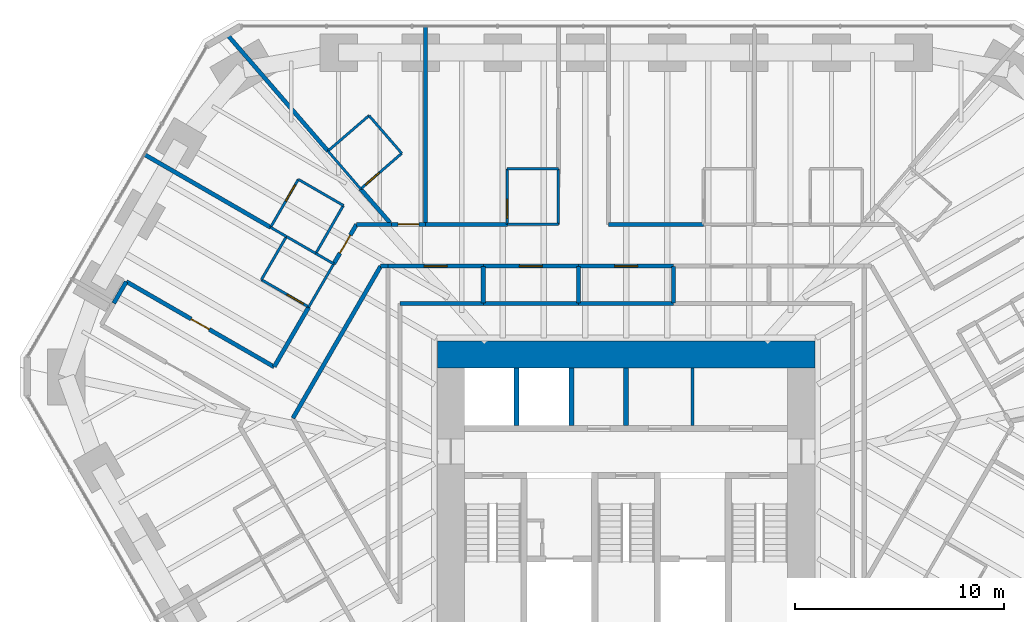
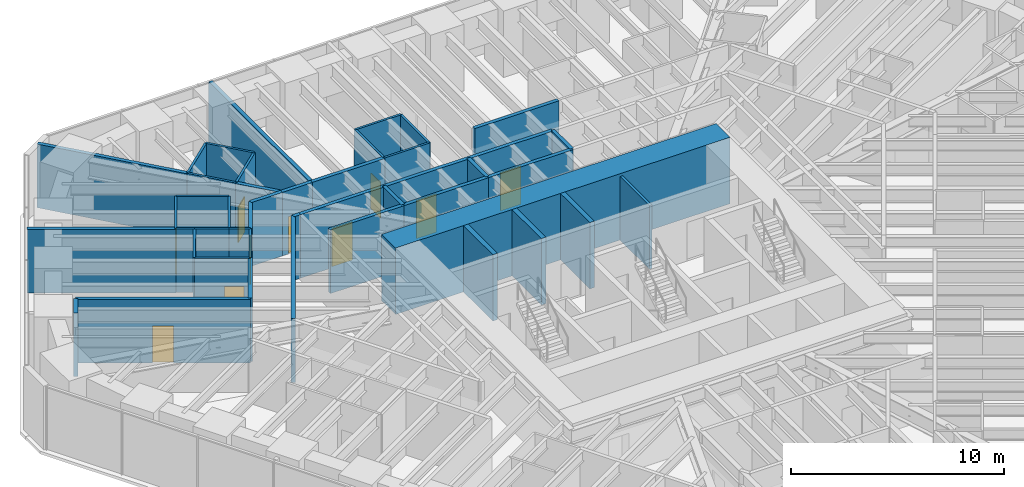
# One storey, part 14 of 17: 45 walls, 10 doors, 10 openings.
"""IFC4 building model written with IfcOpenShell, lengths in metres."""

from ifc_helpers import new_model, si_unit, direction, frame, frame_2d, origin, place, context, subcontext, project, spatial, rectangle, extrude, material, layer, layer_set, type_object, element, fill, save


model = new_model("IFC4")

# Units and contexts
model_context = context("Model", 3, precision=1e-05, world=origin(), true_north=direction((0.0, 1.0)))
body_context = subcontext(model_context, "Body", "Model", "MODEL_VIEW")
ifc_project = project(units=[si_unit("LENGTHUNIT", "METRE"), si_unit("AREAUNIT", "SQUARE_METRE"), si_unit("VOLUMEUNIT", "CUBIC_METRE"), si_unit("PLANEANGLEUNIT", "RADIAN"), si_unit("MASSUNIT", "GRAM", prefix="KILO")], contexts=[model_context])

# Site, building, storey
site_placement = place(None, origin())
site = spatial("IfcSite", under=ifc_project, at=site_placement, CompositionType="ELEMENT")
building_placement = place(site_placement, origin())
building = spatial("IfcBuilding", under=site, at=building_placement, Name="Sandreach Pilgrim Tower", CompositionType="ELEMENT")
storey_placement = place(building_placement, frame((0.0, 0.0, 127.199951171875)))
storey = spatial("IfcBuildingStorey", under=building, at=storey_placement, Name="L31", CompositionType="ELEMENT", Elevation=127.199951171875)

# Wall
ifc_material_1 = material(Name="Gypsum board on steel studs", Category="steel")
ifc_layer_1 = layer(ifc_material_1, 0.14990234375)
ifc_layer_set_1 = layer_set([ifc_layer_1], Name="Back of house wall 150")
wall_type_1 = type_object("IfcWallType", Name="Back of house wall 150", PredefinedType="PARTITIONING", material=ifc_layer_set_1)
wall_1_placement = place(storey_placement, frame((3.175048828125, 3.35009765625, 0.0), z_axis=(0.0, 0.0, 1.0), x_axis=(0.0, 1.0, 0.0)))
element("IfcWall", 1, at=wall_1_placement, inside=storey, type_object=wall_type_1, Name="Core room partition L31 1", PredefinedType="PARTITIONING", context=body_context, shape_type="SweptSolid", body=[
    extrude(rectangle(XDim=2.75, YDim=0.14990234375, at=frame_2d((1.375, 0.0))), origin(), (0.0, 0.0, 1.0), 3.64013671875),
])

# Wall, opening, door
ifc_material_2 = material(Name="Moisture-resistant gypsum board on steel studs", Category="steel")
ifc_layer_2 = layer(ifc_material_2, 0.1201171875)
ifc_layer_set_2 = layer_set([ifc_layer_2], Name="Bathroom partition 120")
wall_type_2 = type_object("IfcWallType", Name="Bathroom partition 120", PredefinedType="PARTITIONING", material=ifc_layer_set_2)
wall_2_placement = place(storey_placement, frame((-17.489990234375, 10.340087890625, 0.0), z_axis=(0.0, 0.0, 1.0), x_axis=(0.866114241029, -0.499846097802, 0.0)))
wall_2 = element("IfcWall", 2, at=wall_2_placement, inside=storey, type_object=wall_type_2, Name="Bathroom partition L31-013", PredefinedType="PARTITIONING", context=body_context, shape_type="SweptSolid", body=[
    extrude(rectangle(XDim=2.620849609375, YDim=0.1201171875, at=frame_2d((1.310546875, 0.0))), origin(), (0.0, 0.0, 1.0), 3.64013671875),
])
opening_1_placement = place(wall_2_placement, frame((1.4208984375, 0.0, 0.0)))
opening_1 = element("IfcOpeningElement", 3, at=opening_1_placement, cuts=wall_2, Name="Opening D09-18B", PredefinedType="OPENING", context=body_context, shape_type="SweptSolid", body=[
    extrude(rectangle(XDim=0.89990234375, YDim=2.030029296875, at=frame_2d((0.449951171875, 1.01513671875))), frame((0.0, 0.06005859375, 0.0), z_axis=(0.0, -1.0, 0.0), x_axis=(1.0, 0.0, 0.0)), (0.0, 0.0, 1.0), 0.1201171875),
])
ifc_material_3 = material(Name="Timber door, steel frame", Category="steel")
door_type_1 = type_object("IfcDoorType", Name="Bathroom door", OperationType="SINGLE_SWING_LEFT", PredefinedType="DOOR", material=ifc_material_3)
door_1_placement = place(opening_1_placement, origin())
door_1 = element("IfcDoor", 4, at=door_1_placement, inside=storey, type_object=door_type_1, Name="Door 3118B", OperationType="SINGLE_SWING_RIGHT", OverallHeight=2.030029296875, OverallWidth=0.89990234375, PredefinedType="DOOR", context=body_context, shape_type="SweptSolid", body=[
    extrude(rectangle(XDim=0.89990234375, YDim=2.030029296875, at=frame_2d((0.449951171875, 1.01513671875))), frame((0.0, 0.02490234375, 0.0), z_axis=(0.0, -1.0, 0.0), x_axis=(1.0, 0.0, 0.0)), (0.0, 0.0, 1.0), 0.050048828125),
])
fill(opening_1, door_1)

# Walls
wall_3_placement = place(storey_placement, frame((-17.050537109375, 12.849365234375, 0.0), z_axis=(0.0, 0.0, 1.0), x_axis=(0.865838315616, -0.500323906295, 0.0)))
element("IfcWall", 5, at=wall_3_placement, inside=storey, type_object=wall_type_2, Name="Bathroom partition L31-015", PredefinedType="PARTITIONING", context=body_context, shape_type="SweptSolid", body=[
    extrude(rectangle(XDim=0.87841796875, YDim=0.1201171875, at=frame_2d((0.439208984375, 0.0))), origin(), (0.0, 0.0, 1.0), 3.64013671875),
])
wall_4_placement = place(storey_placement, frame((-16.2900390625, 12.409912109375, 0.0), z_axis=(0.0, 0.0, 1.0), x_axis=(-0.501547039172, -0.865130376012, 0.0)))
element("IfcWall", 6, at=wall_4_placement, inside=storey, type_object=wall_type_2, Name="Bathroom partition L31-020", PredefinedType="PARTITIONING", context=body_context, shape_type="SweptSolid", body=[
    extrude(rectangle(XDim=2.392578125, YDim=0.1201171875, at=frame_2d((1.1962890625, 0.0))), origin(), (0.0, 0.0, 1.0), 3.64013671875),
])
wall_5_placement = place(storey_placement, frame((-16.2900390625, 12.409912109375, 0.0), z_axis=(0.0, 0.0, 1.0), x_axis=(0.866138091645, -0.499804768086, 0.0)))
element("IfcWall", 7, at=wall_5_placement, inside=storey, type_object=wall_type_2, Name="Bathroom partition L31-021", PredefinedType="PARTITIONING", context=body_context, shape_type="SweptSolid", body=[
    extrude(rectangle(XDim=1.626220703125, YDim=0.1201171875, at=frame_2d((0.81298828125, 0.0))), origin(), (0.0, 0.0, 1.0), 3.64013671875),
])

# Wall, opening, door
wall_6_placement = place(storey_placement, frame((-15.719970703125, 15.14990234375, 0.0), z_axis=(0.0, 0.0, 1.0), x_axis=(-0.500605174168, -0.865675724273, 0.0)))
wall_6 = element("IfcWall", 8, at=wall_6_placement, inside=storey, type_object=wall_type_2, Name="Bathroom partition L31-023", PredefinedType="PARTITIONING", context=body_context, shape_type="SweptSolid", body=[
    extrude(rectangle(XDim=2.656982421875, YDim=0.1201171875, at=frame_2d((1.32861328125, 0.0))), origin(), (0.0, 0.0, 1.0), 3.64013671875),
])
opening_2_placement = place(wall_6_placement, frame((0.300048828125, 0.0, 0.0)))
opening_2 = element("IfcOpeningElement", 9, at=opening_2_placement, cuts=wall_6, Name="Opening D09-19B", PredefinedType="OPENING", context=body_context, shape_type="SweptSolid", body=[
    extrude(rectangle(XDim=0.89990234375, YDim=2.030029296875, at=frame_2d((0.449951171875, 1.01513671875))), frame((0.0, 0.06005859375, 0.0), z_axis=(0.0, -1.0, 0.0), x_axis=(1.0, 0.0, 0.0)), (0.0, 0.0, 1.0), 0.1201171875),
])
door_2_placement = place(opening_2_placement, origin())
door_2 = element("IfcDoor", 10, at=door_2_placement, inside=storey, type_object=door_type_1, Name="Door 3119B", OperationType="SINGLE_SWING_LEFT", OverallHeight=2.030029296875, OverallWidth=0.89990234375, PredefinedType="DOOR", context=body_context, shape_type="SweptSolid", body=[
    extrude(rectangle(XDim=0.89990234375, YDim=2.030029296875, at=frame_2d((0.449951171875, 1.01513671875))), frame((0.0, 0.02490234375, 0.0), z_axis=(0.0, -1.0, 0.0), x_axis=(1.0, 0.0, 0.0)), (0.0, 0.0, 1.0), 0.050048828125),
])
fill(opening_2, door_2)

# Walls
wall_7_placement = place(storey_placement, frame((-15.219970703125, 9.030029296875, 0.0), z_axis=(0.0, 0.0, 1.0), x_axis=(0.501502765098, 0.865156041763, 0.0)))
element("IfcWall", 11, at=wall_7_placement, inside=storey, type_object=wall_type_2, Name="Bathroom partition L31-026", PredefinedType="PARTITIONING", context=body_context, shape_type="SweptSolid", body=[
    extrude(rectangle(XDim=2.392822265625, YDim=0.1201171875, at=frame_2d((1.1962890625, 0.0))), origin(), (0.0, 0.0, 1.0), 3.64013671875),
])
wall_8_placement = place(storey_placement, frame((-14.881591796875, 11.59716796875, 0.0), z_axis=(0.0, 0.0, 1.0), x_axis=(0.866181499781, -0.499729536286, 0.0)))
element("IfcWall", 12, at=wall_8_placement, inside=storey, type_object=wall_type_2, Name="Bathroom partition L31-027", PredefinedType="PARTITIONING", context=body_context, shape_type="SweptSolid", body=[
    extrude(rectangle(XDim=0.99462890625, YDim=0.1201171875, at=frame_2d((0.497314453125, 0.0))), origin(), (0.0, 0.0, 1.0), 3.64013671875),
])
wall_9_placement = place(storey_placement, frame((-14.8798828125, 11.60009765625, 0.0), z_axis=(0.0, 0.0, 1.0), x_axis=(0.497704656183, 0.867346571569, 0.0)))
element("IfcWall", 13, at=wall_9_placement, inside=storey, type_object=wall_type_2, Name="Bathroom partition L31-028", PredefinedType="PARTITIONING", context=body_context, shape_type="SweptSolid", body=[
    extrude(rectangle(XDim=2.65185546875, YDim=0.1201171875, at=frame_2d((1.325927734375, 0.0))), origin(), (0.0, 0.0, 1.0), 3.64013671875),
])
wall_10_placement = place(storey_placement, frame((-14.300048828125, 16.510009765625, 0.0), z_axis=(0.0, 0.0, 1.0), x_axis=(0.653188728136, -0.757195143563, 0.0)))
element("IfcWall", 14, at=wall_10_placement, inside=storey, type_object=wall_type_2, Name="Bathroom partition L31-030", PredefinedType="PARTITIONING", context=body_context, shape_type="SweptSolid", body=[
    extrude(rectangle(XDim=2.40380859375, YDim=0.1201171875, at=frame_2d((1.201904296875, 0.0))), origin(), (0.0, 0.0, 1.0), 3.64013671875),
])
wall_11_placement = place(storey_placement, frame((-13.56005859375, 13.89990234375, 0.0), z_axis=(0.0, 0.0, 1.0), x_axis=(-0.865508881864, 0.500893576935, 0.0)))
element("IfcWall", 15, at=wall_11_placement, inside=storey, type_object=wall_type_2, Name="Bathroom partition L31-033", PredefinedType="PARTITIONING", context=body_context, shape_type="SweptSolid", body=[
    extrude(rectangle(XDim=2.49560546875, YDim=0.1201171875, at=frame_2d((1.247802734375, 0.0))), origin(), (0.0, 0.0, 1.0), 3.64013671875),
])

# Wall, opening, door
wall_12_placement = place(storey_placement, frame((-12.72998046875, 14.68994140625, 0.0), z_axis=(0.0, 0.0, 1.0), x_axis=(0.755185511235, 0.655511131576, 0.0)))
wall_12 = element("IfcWall", 16, at=wall_12_placement, inside=storey, type_object=wall_type_2, Name="Bathroom partition L31-037", PredefinedType="PARTITIONING", context=body_context, shape_type="SweptSolid", body=[
    extrude(rectangle(XDim=2.608642578125, YDim=0.1201171875, at=frame_2d((1.30419921875, 0.0))), origin(), (0.0, 0.0, 1.0), 3.64013671875),
])
opening_3_placement = place(wall_12_placement, frame((0.300048828125, 0.0, 0.0)))
opening_3 = element("IfcOpeningElement", 17, at=opening_3_placement, cuts=wall_12, Name="Opening D09-01B", PredefinedType="OPENING", context=body_context, shape_type="SweptSolid", body=[
    extrude(rectangle(XDim=0.89990234375, YDim=2.030029296875, at=frame_2d((0.449951171875, 1.01513671875))), frame((0.0, 0.06005859375, 0.0), z_axis=(0.0, -1.0, 0.0), x_axis=(1.0, 0.0, 0.0)), (0.0, 0.0, 1.0), 0.1201171875),
])
door_3_placement = place(opening_3_placement, origin())
door_3 = element("IfcDoor", 18, at=door_3_placement, inside=storey, type_object=door_type_1, Name="Door 3101B", OperationType="SINGLE_SWING_LEFT", OverallHeight=2.030029296875, OverallWidth=0.89990234375, PredefinedType="DOOR", context=body_context, shape_type="SweptSolid", body=[
    extrude(rectangle(XDim=0.89990234375, YDim=2.030029296875, at=frame_2d((0.449951171875, 1.01513671875))), frame((0.0, 0.02490234375, 0.0), z_axis=(0.0, -1.0, 0.0), x_axis=(1.0, 0.0, 0.0)), (0.0, 0.0, 1.0), 0.050048828125),
])
fill(opening_3, door_3)

# Walls
wall_13_placement = place(storey_placement, frame((-12.330078125, 18.2099609375, 0.0), z_axis=(0.0, 0.0, 1.0), x_axis=(-0.757086659925, -0.653314464377, 0.0)))
element("IfcWall", 19, at=wall_13_placement, inside=storey, type_object=wall_type_2, Name="Bathroom partition L31-038", PredefinedType="PARTITIONING", context=body_context, shape_type="SweptSolid", body=[
    extrude(rectangle(XDim=2.60205078125, YDim=0.1201171875, at=frame_2d((1.301025390625, 0.0))), origin(), (0.0, 0.0, 1.0), 3.64013671875),
])
wall_14_placement = place(storey_placement, frame((-10.760009765625, 16.39990234375, 0.0), z_axis=(0.0, 0.0, 1.0), x_axis=(-0.655252439976, 0.755409981338, 0.0)))
element("IfcWall", 20, at=wall_14_placement, inside=storey, type_object=wall_type_2, Name="Bathroom partition L31-049", PredefinedType="PARTITIONING", context=body_context, shape_type="SweptSolid", body=[
    extrude(rectangle(XDim=2.396240234375, YDim=0.1201171875, at=frame_2d((1.1982421875, 0.0))), origin(), (0.0, 0.0, 1.0), 3.64013671875),
])

# Wall, opening, door
wall_15_placement = place(storey_placement, frame((-5.7099609375, 15.659912109375, 0.0), z_axis=(0.0, 0.0, 1.0), x_axis=(0.003749059241, -0.999992972253, 0.0)))
wall_15 = element("IfcWall", 21, at=wall_15_placement, inside=storey, type_object=wall_type_2, Name="Bathroom partition L31-066", PredefinedType="PARTITIONING", context=body_context, shape_type="SweptSolid", body=[
    extrude(rectangle(XDim=2.669921875, YDim=0.1201171875, at=frame_2d((1.3349609375, 0.0))), origin(), (0.0, 0.0, 1.0), 3.64013671875),
])
opening_4_placement = place(wall_15_placement, frame((1.469970703125, 0.0, 0.0)))
opening_4 = element("IfcOpeningElement", 22, at=opening_4_placement, cuts=wall_15, Name="Opening D09-02B", PredefinedType="OPENING", context=body_context, shape_type="SweptSolid", body=[
    extrude(rectangle(XDim=0.89990234375, YDim=2.030029296875, at=frame_2d((0.449951171875, 1.01513671875))), frame((0.0, 0.06005859375, 0.0), z_axis=(0.0, -1.0, 0.0), x_axis=(1.0, 0.0, 0.0)), (0.0, 0.0, 1.0), 0.1201171875),
])
door_4_placement = place(opening_4_placement, origin())
door_4 = element("IfcDoor", 23, at=door_4_placement, inside=storey, type_object=door_type_1, Name="Door 3102B", OperationType="SINGLE_SWING_RIGHT", OverallHeight=2.030029296875, OverallWidth=0.89990234375, PredefinedType="DOOR", context=body_context, shape_type="SweptSolid", body=[
    extrude(rectangle(XDim=0.89990234375, YDim=2.030029296875, at=frame_2d((0.449951171875, 1.01513671875))), frame((0.0, 0.02490234375, 0.0), z_axis=(0.0, -1.0, 0.0), x_axis=(1.0, 0.0, 0.0)), (0.0, 0.0, 1.0), 0.050048828125),
])
fill(opening_4, door_4)

# Walls
wall_16_placement = place(storey_placement, frame((-3.25, 12.989990234375, 0.0), z_axis=(0.0, 0.0, 1.0), x_axis=(-1.0, 0.0, 0.0)))
element("IfcWall", 24, at=wall_16_placement, inside=storey, type_object=wall_type_2, Name="Bathroom partition L31-079", PredefinedType="PARTITIONING", context=body_context, shape_type="SweptSolid", body=[
    extrude(rectangle(XDim=2.449951171875, YDim=0.1201171875, at=frame_2d((1.22509765625, 0.0))), origin(), (0.0, 0.0, 1.0), 3.64013671875),
])
wall_17_placement = place(storey_placement, frame((-3.25, 15.659912109375, 0.0), z_axis=(0.0, 0.0, 1.0), x_axis=(-1.0, 0.0, 0.0)))
element("IfcWall", 25, at=wall_17_placement, inside=storey, type_object=wall_type_2, Name="Bathroom partition L31-080", PredefinedType="PARTITIONING", context=body_context, shape_type="SweptSolid", body=[
    extrude(rectangle(XDim=2.4599609375, YDim=0.1201171875, at=frame_2d((1.22998046875, 0.0))), origin(), (0.0, 0.0, 1.0), 3.64013671875),
])
wall_18_placement = place(storey_placement, frame((-3.25, 15.659912109375, 0.0), z_axis=(0.0, 0.0, 1.0), x_axis=(0.0, -1.0, 0.0)))
element("IfcWall", 26, at=wall_18_placement, inside=storey, type_object=wall_type_2, Name="Bathroom partition L31-081", PredefinedType="PARTITIONING", context=body_context, shape_type="SweptSolid", body=[
    extrude(rectangle(XDim=2.669921875, YDim=0.1201171875, at=frame_2d((1.3349609375, 0.0))), origin(), (0.0, 0.0, 1.0), 3.64013671875),
])
ifc_material_4 = material(Name="Concrete 10000 psi", Category="concrete")
ifc_layer_3 = layer(ifc_material_4, 1.300048828125)
ifc_layer_set_3 = layer_set([ifc_layer_3], Name="Core wall 1300")
wall_type_3 = type_object("IfcWallType", Name="Core wall 1300", PredefinedType="SHEAR", material=ifc_layer_set_3)
wall_19_placement = place(storey_placement, frame((-9.050048828125, 6.75, 0.0), z_axis=(0.0, 0.0, 1.0), x_axis=(1.0, 0.0, 0.0)))
element("IfcWall", 27, at=wall_19_placement, inside=storey, type_object=wall_type_3, Name="Core wall N L31", PredefinedType="SHEAR", context=body_context, shape_type="SweptSolid", body=[
    extrude(rectangle(XDim=18.10009765625, YDim=1.300048828125, at=frame_2d((9.050048828125, 0.0))), origin(), (0.0, 0.0, 1.0), 3.800048828125),
])
ifc_material_5 = material(Name="Gypsum board on steel studs, two layers each side", Category="steel")
ifc_layer_4 = layer(ifc_material_5, 0.199951171875)
ifc_layer_set_4 = layer_set([ifc_layer_4], Name="Corridor wall 200")
wall_type_4 = type_object("IfcWallType", Name="Corridor wall 200", PredefinedType="PARTITIONING", material=ifc_layer_set_4)
wall_20_placement = place(storey_placement, frame((-24.570068359375, 9.2099609375, 0.0), z_axis=(0.0, 0.0, 1.0), x_axis=(0.499734288277, 0.866178758179, 0.0)))
element("IfcWall", 28, at=wall_20_placement, inside=storey, type_object=wall_type_4, Name="Corridor wall L31-004", PredefinedType="PARTITIONING", context=body_context, shape_type="SweptSolid", body=[
    extrude(rectangle(XDim=1.190673828125, YDim=0.199951171875, at=frame_2d((0.59521484375, 0.0))), origin(), (0.0, 0.0, 1.0), 3.64013671875),
])

# Wall, opening, door
wall_21_placement = place(storey_placement, frame((-16.8798828125, 6.159912109375, 0.0), z_axis=(0.0, 0.0, 1.0), x_axis=(-0.866203958324, 0.499690606859, 0.0)))
wall_21 = element("IfcWall", 29, at=wall_21_placement, inside=storey, type_object=wall_type_4, Name="Corridor wall L31-017", PredefinedType="PARTITIONING", context=body_context, shape_type="SweptSolid", body=[
    extrude(rectangle(XDim=8.185302734375, YDim=0.199951171875, at=frame_2d((4.0927734375, 0.0))), origin(), (0.0, 0.0, 1.0), 3.64013671875),
])
opening_5_placement = place(wall_21_placement, frame((3.592529296875, 0.0, 0.0)))
opening_5 = element("IfcOpeningElement", 30, at=opening_5_placement, cuts=wall_21, Name="Opening D10-18", PredefinedType="OPENING", context=body_context, shape_type="SweptSolid", body=[
    extrude(rectangle(XDim=1.0, YDim=2.1298828125, at=frame_2d((0.5, 1.06494140625))), frame((0.0, 0.10009765625, 0.0), z_axis=(0.0, -1.0, 0.0), x_axis=(1.0, 0.0, 0.0)), (0.0, 0.0, 1.0), 0.199951171875),
])
ifc_material_6 = material(Name="Steel door and frame", Category="steel")
door_type_2 = type_object("IfcDoorType", Name="Guest room entry door", OperationType="SINGLE_SWING_LEFT", PredefinedType="DOOR", material=ifc_material_6)
door_5_placement = place(opening_5_placement, origin())
door_5 = element("IfcDoor", 31, at=door_5_placement, inside=storey, type_object=door_type_2, Name="Door 3118", OperationType="SINGLE_SWING_LEFT", OverallHeight=2.1298828125, OverallWidth=1.0, PredefinedType="DOOR", context=body_context, shape_type="SweptSolid", body=[
    extrude(rectangle(XDim=1.0, YDim=2.1298828125, at=frame_2d((0.5, 1.06494140625))), frame((0.0, 0.02490234375, 0.0), z_axis=(0.0, -1.0, 0.0), x_axis=(1.0, 0.0, 0.0)), (0.0, 0.0, 1.0), 0.050048828125),
])
fill(opening_5, door_5)

# Walls
wall_22_placement = place(storey_placement, frame((-16.875, 6.168701171875, 0.0), z_axis=(0.0, 0.0, 1.0), x_axis=(0.500689767595, 0.865626799854, 0.0)))
element("IfcWall", 32, at=wall_22_placement, inside=storey, type_object=wall_type_4, Name="Corridor wall L31-018", PredefinedType="PARTITIONING", context=body_context, shape_type="SweptSolid", body=[
    extrude(rectangle(XDim=3.305419921875, YDim=0.199951171875, at=frame_2d((1.65283203125, 0.0))), origin(), (0.0, 0.0, 1.0), 3.64013671875),
])
wall_23_placement = place(storey_placement, frame((-15.97998046875, 3.699951171875, 0.0), z_axis=(0.0, 0.0, 1.0), x_axis=(0.500093981358, 0.865971136822, 0.0)))
element("IfcWall", 33, at=wall_23_placement, inside=storey, type_object=wall_type_4, Name="Corridor wall L31-022", PredefinedType="PARTITIONING", context=body_context, shape_type="SweptSolid", body=[
    extrude(rectangle(XDim=8.41845703125, YDim=0.199951171875, at=frame_2d((4.209228515625, 0.0))), origin(), (0.0, 0.0, 1.0), 3.64013671875),
])

# Wall, opening, door
wall_24_placement = place(storey_placement, frame((-14.02001953125, 11.10009765625, 0.0), z_axis=(0.0, 0.0, 1.0), x_axis=(0.499641723021, 0.866232156305, 0.0)))
wall_24 = element("IfcWall", 34, at=wall_24_placement, inside=storey, type_object=wall_type_4, Name="Corridor wall L31-032", PredefinedType="PARTITIONING", context=body_context, shape_type="SweptSolid", body=[
    extrude(rectangle(XDim=2.181640625, YDim=0.199951171875, at=frame_2d((1.0908203125, 0.0))), origin(), (0.0, 0.0, 1.0), 3.64013671875),
])
opening_6_placement = place(wall_24_placement, frame((0.5908203125, 0.0, 0.0)))
opening_6 = element("IfcOpeningElement", 35, at=opening_6_placement, cuts=wall_24, Name="Opening D10-19", PredefinedType="OPENING", context=body_context, shape_type="SweptSolid", body=[
    extrude(rectangle(XDim=1.0, YDim=2.1298828125, at=frame_2d((0.5, 1.06494140625))), frame((0.0, 0.10009765625, 0.0), z_axis=(0.0, -1.0, 0.0), x_axis=(1.0, 0.0, 0.0)), (0.0, 0.0, 1.0), 0.199951171875),
])
door_6_placement = place(opening_6_placement, origin())
door_6 = element("IfcDoor", 36, at=door_6_placement, inside=storey, type_object=door_type_2, Name="Door 3119", OperationType="SINGLE_SWING_LEFT", OverallHeight=2.1298828125, OverallWidth=1.0, PredefinedType="DOOR", context=body_context, shape_type="SweptSolid", body=[
    extrude(rectangle(XDim=1.0, YDim=2.1298828125, at=frame_2d((0.5, 1.06494140625))), frame((0.0, 0.02490234375, 0.0), z_axis=(0.0, -1.0, 0.0), x_axis=(1.0, 0.0, 0.0)), (0.0, 0.0, 1.0), 0.050048828125),
])
fill(opening_6, door_6)

# Wall
wall_25_placement = place(storey_placement, frame((-11.77001953125, 10.989990234375, 0.0), z_axis=(0.0, 0.0, 1.0), x_axis=(1.0, 0.0, 0.0)))
element("IfcWall", 37, at=wall_25_placement, inside=storey, type_object=wall_type_4, Name="Corridor wall L31-040", PredefinedType="PARTITIONING", context=body_context, shape_type="SweptSolid", body=[
    extrude(rectangle(XDim=0.35009765625, YDim=0.199951171875, at=frame_2d((0.175048828125, 0.0))), origin(), (0.0, 0.0, 1.0), 3.64013671875),
])

# Wall, opening, door
wall_26_placement = place(storey_placement, frame((-11.419921875, 10.989990234375, 0.0), z_axis=(0.0, 0.0, 1.0), x_axis=(1.0, 0.0, 0.0)))
wall_26 = element("IfcWall", 38, at=wall_26_placement, inside=storey, type_object=wall_type_4, Name="Corridor wall L31-044", PredefinedType="PARTITIONING", context=body_context, shape_type="SweptSolid", body=[
    extrude(rectangle(XDim=4.56982421875, YDim=0.199951171875, at=frame_2d((2.284912109375, 0.0))), origin(), (0.0, 0.0, 1.0), 3.64013671875),
])
opening_7_placement = place(wall_26_placement, frame((1.735107421875, 0.0, 0.0)))
opening_7 = element("IfcOpeningElement", 39, at=opening_7_placement, cuts=wall_26, Name="Opening D11H-M02", PredefinedType="OPENING", context=body_context, shape_type="SweptSolid", body=[
    extrude(rectangle(XDim=1.10009765625, YDim=2.199951171875, at=frame_2d((0.550048828125, 1.10009765625))), frame((0.0, 0.10009765625, 0.0), z_axis=(0.0, -1.0, 0.0), x_axis=(1.0, 0.0, 0.0)), (0.0, 0.0, 1.0), 0.199951171875),
])
ifc_material_7 = material(Name="Steel door and frame", Category="steel")
door_type_3 = type_object("IfcDoorType", Name="Back of house door", OperationType="SINGLE_SWING_LEFT", PredefinedType="DOOR", material=ifc_material_7)
door_7_placement = place(opening_7_placement, origin())
door_7 = element("IfcDoor", 40, at=door_7_placement, inside=storey, type_object=door_type_3, Name="Door 31M02", OperationType="SINGLE_SWING_LEFT", OverallHeight=2.199951171875, OverallWidth=1.10009765625, PredefinedType="DOOR", context=body_context, shape_type="SweptSolid", body=[
    extrude(rectangle(XDim=1.10009765625, YDim=2.199951171875, at=frame_2d((0.550048828125, 1.10009765625))), frame((0.0, 0.02490234375, 0.0), z_axis=(0.0, -1.0, 0.0), x_axis=(1.0, 0.0, 0.0)), (0.0, 0.0, 1.0), 0.050048828125),
])
fill(opening_7, door_7)

# Wall
wall_27_placement = place(storey_placement, frame((-11.25, 12.989990234375, 0.0), z_axis=(0.0, 0.0, 1.0), x_axis=(-1.0, 0.0, 0.0)))
element("IfcWall", 41, at=wall_27_placement, inside=storey, type_object=wall_type_4, Name="Corridor wall L31-045", PredefinedType="PARTITIONING", context=body_context, shape_type="SweptSolid", body=[
    extrude(rectangle(XDim=1.679931640625, YDim=0.199951171875, at=frame_2d((0.83984375, 0.0))), origin(), (0.0, 0.0, 1.0), 3.64013671875),
])

# Wall, opening, door
wall_28_placement = place(storey_placement, frame((-9.6201171875, 12.989990234375, 0.0), z_axis=(0.0, 0.0, 1.0), x_axis=(-1.0, 0.0, 0.0)))
wall_28 = element("IfcWall", 42, at=wall_28_placement, inside=storey, type_object=wall_type_4, Name="Corridor wall L31-051", PredefinedType="PARTITIONING", context=body_context, shape_type="SweptSolid", body=[
    extrude(rectangle(XDim=1.6298828125, YDim=0.199951171875, at=frame_2d((0.81494140625, 0.0))), origin(), (0.0, 0.0, 1.0), 3.64013671875),
])
opening_8_placement = place(wall_28_placement, frame((0.31494140625, 0.0, 0.0)))
opening_8 = element("IfcOpeningElement", 43, at=opening_8_placement, cuts=wall_28, Name="Opening D10-01", PredefinedType="OPENING", context=body_context, shape_type="SweptSolid", body=[
    extrude(rectangle(XDim=1.0, YDim=2.1298828125, at=frame_2d((0.5, 1.06494140625))), frame((0.0, 0.10009765625, 0.0), z_axis=(0.0, -1.0, 0.0), x_axis=(1.0, 0.0, 0.0)), (0.0, 0.0, 1.0), 0.199951171875),
])
door_8_placement = place(opening_8_placement, origin())
door_8 = element("IfcDoor", 44, at=door_8_placement, inside=storey, type_object=door_type_2, Name="Door 3101", OperationType="SINGLE_SWING_LEFT", OverallHeight=2.1298828125, OverallWidth=1.0, PredefinedType="DOOR", context=body_context, shape_type="SweptSolid", body=[
    extrude(rectangle(XDim=1.0, YDim=2.1298828125, at=frame_2d((0.5, 1.06494140625))), frame((0.0, 0.02490234375, 0.0), z_axis=(0.0, -1.0, 0.0), x_axis=(1.0, 0.0, 0.0)), (0.0, 0.0, 1.0), 0.050048828125),
])
fill(opening_8, door_8)

# Wall
wall_29_placement = place(storey_placement, frame((-6.85009765625, 9.199951171875, 0.0), z_axis=(0.0, 0.0, 1.0), x_axis=(-1.0, 0.0, 0.0)))
element("IfcWall", 45, at=wall_29_placement, inside=storey, type_object=wall_type_4, Name="Corridor wall L31-058", PredefinedType="PARTITIONING", context=body_context, shape_type="SweptSolid", body=[
    extrude(rectangle(XDim=3.989990234375, YDim=0.199951171875, at=frame_2d((1.9951171875, 0.0))), origin(), (0.0, 0.0, 1.0), 3.64013671875),
])

# Wall, opening, door
wall_30_placement = place(storey_placement, frame((-6.85009765625, 10.989990234375, 0.0), z_axis=(0.0, 0.0, 1.0), x_axis=(1.0, 0.0, 0.0)))
wall_30 = element("IfcWall", 46, at=wall_30_placement, inside=storey, type_object=wall_type_4, Name="Corridor wall L31-060", PredefinedType="PARTITIONING", context=body_context, shape_type="SweptSolid", body=[
    extrude(rectangle(XDim=4.570068359375, YDim=0.199951171875, at=frame_2d((2.28515625, 0.0))), origin(), (0.0, 0.0, 1.0), 3.64013671875),
])
opening_9_placement = place(wall_30_placement, frame((1.735107421875, 0.0, 0.0)))
opening_9 = element("IfcOpeningElement", 47, at=opening_9_placement, cuts=wall_30, Name="Opening D11H-M03", PredefinedType="OPENING", context=body_context, shape_type="SweptSolid", body=[
    extrude(rectangle(XDim=1.10009765625, YDim=2.199951171875, at=frame_2d((0.550048828125, 1.10009765625))), frame((0.0, 0.10009765625, 0.0), z_axis=(0.0, -1.0, 0.0), x_axis=(1.0, 0.0, 0.0)), (0.0, 0.0, 1.0), 0.199951171875),
])
door_9_placement = place(opening_9_placement, origin())
door_9 = element("IfcDoor", 48, at=door_9_placement, inside=storey, type_object=door_type_3, Name="Door 31M03", OperationType="SINGLE_SWING_LEFT", OverallHeight=2.199951171875, OverallWidth=1.10009765625, PredefinedType="DOOR", context=body_context, shape_type="SweptSolid", body=[
    extrude(rectangle(XDim=1.10009765625, YDim=2.199951171875, at=frame_2d((0.550048828125, 1.10009765625))), frame((0.0, 0.02490234375, 0.0), z_axis=(0.0, -1.0, 0.0), x_axis=(1.0, 0.0, 0.0)), (0.0, 0.0, 1.0), 0.050048828125),
])
fill(opening_9, door_9)

# Walls
wall_31_placement = place(storey_placement, frame((-5.699951171875, 12.989990234375, 0.0), z_axis=(0.0, 0.0, 1.0), x_axis=(-1.0, 0.0, 0.0)))
element("IfcWall", 49, at=wall_31_placement, inside=storey, type_object=wall_type_4, Name="Corridor wall L31-067", PredefinedType="PARTITIONING", context=body_context, shape_type="SweptSolid", body=[
    extrude(rectangle(XDim=3.920166015625, YDim=0.199951171875, at=frame_2d((1.9599609375, 0.0))), origin(), (0.0, 0.0, 1.0), 3.64013671875),
])
wall_32_placement = place(storey_placement, frame((-2.280029296875, 9.199951171875, 0.0), z_axis=(0.0, 0.0, 1.0), x_axis=(-1.0, 0.0, 0.0)))
element("IfcWall", 50, at=wall_32_placement, inside=storey, type_object=wall_type_4, Name="Corridor wall L31-083", PredefinedType="PARTITIONING", context=body_context, shape_type="SweptSolid", body=[
    extrude(rectangle(XDim=4.570068359375, YDim=0.199951171875, at=frame_2d((2.28515625, 0.0))), origin(), (0.0, 0.0, 1.0), 3.64013671875),
])

# Wall, opening, door
wall_33_placement = place(storey_placement, frame((-2.280029296875, 10.989990234375, 0.0), z_axis=(0.0, 0.0, 1.0), x_axis=(1.0, 0.0, 0.0)))
wall_33 = element("IfcWall", 51, at=wall_33_placement, inside=storey, type_object=wall_type_4, Name="Corridor wall L31-085", PredefinedType="PARTITIONING", context=body_context, shape_type="SweptSolid", body=[
    extrude(rectangle(XDim=4.56005859375, YDim=0.199951171875, at=frame_2d((2.280029296875, 0.0))), origin(), (0.0, 0.0, 1.0), 3.64013671875),
])
opening_10_placement = place(wall_33_placement, frame((1.72998046875, 0.0, 0.0)))
opening_10 = element("IfcOpeningElement", 52, at=opening_10_placement, cuts=wall_33, Name="Opening D11H-M04", PredefinedType="OPENING", context=body_context, shape_type="SweptSolid", body=[
    extrude(rectangle(XDim=1.10009765625, YDim=2.199951171875, at=frame_2d((0.550048828125, 1.10009765625))), frame((0.0, 0.10009765625, 0.0), z_axis=(0.0, -1.0, 0.0), x_axis=(1.0, 0.0, 0.0)), (0.0, 0.0, 1.0), 0.199951171875),
])
door_10_placement = place(opening_10_placement, origin())
door_10 = element("IfcDoor", 53, at=door_10_placement, inside=storey, type_object=door_type_3, Name="Door 31M04", OperationType="SINGLE_SWING_LEFT", OverallHeight=2.199951171875, OverallWidth=1.10009765625, PredefinedType="DOOR", context=body_context, shape_type="SweptSolid", body=[
    extrude(rectangle(XDim=1.10009765625, YDim=2.199951171875, at=frame_2d((0.550048828125, 1.10009765625))), frame((0.0, 0.02490234375, 0.0), z_axis=(0.0, -1.0, 0.0), x_axis=(1.0, 0.0, 0.0)), (0.0, 0.0, 1.0), 0.050048828125),
])
fill(opening_10, door_10)

# Walls
wall_34_placement = place(storey_placement, frame((2.280029296875, 9.199951171875, 0.0), z_axis=(0.0, 0.0, 1.0), x_axis=(-1.0, 0.0, 0.0)))
element("IfcWall", 54, at=wall_34_placement, inside=storey, type_object=wall_type_4, Name="Corridor wall L31-094", PredefinedType="PARTITIONING", context=body_context, shape_type="SweptSolid", body=[
    extrude(rectangle(XDim=4.56005859375, YDim=0.199951171875, at=frame_2d((2.280029296875, 0.0))), origin(), (0.0, 0.0, 1.0), 3.64013671875),
])
wall_35_placement = place(storey_placement, frame((3.7099609375, 12.989990234375, 0.0), z_axis=(0.0, 0.0, 1.0), x_axis=(-1.0, 0.0, 0.0)))
element("IfcWall", 55, at=wall_35_placement, inside=storey, type_object=wall_type_4, Name="Corridor wall L31-099", PredefinedType="PARTITIONING", context=body_context, shape_type="SweptSolid", body=[
    extrude(rectangle(XDim=4.550048828125, YDim=0.199951171875, at=frame_2d((2.27490234375, 0.0))), origin(), (0.0, 0.0, 1.0), 3.64013671875),
])
ifc_material_8 = material(Name="Double steel stud acoustic wall, gypsum board", Category="steel")
ifc_layer_5 = layer(ifc_material_8, 0.199951171875)
ifc_layer_set_5 = layer_set([ifc_layer_5], Name="Party wall 200")
wall_type_5 = type_object("IfcWallType", Name="Party wall 200", PredefinedType="PARTITIONING", material=ifc_layer_set_5)
wall_36_placement = place(storey_placement, frame((-23.083984375, 16.3349609375, 0.0), z_axis=(0.0, 0.0, 1.0), x_axis=(0.865889693368, -0.500234983702, 0.0)))
element("IfcWall", 56, at=wall_36_placement, inside=storey, type_object=wall_type_5, Name="Party wall L31-005", PredefinedType="PARTITIONING", context=body_context, shape_type="SweptSolid", body=[
    extrude(rectangle(XDim=6.968017578125, YDim=0.199951171875, at=frame_2d((3.48388671875, 0.0))), origin(), (0.0, 0.0, 1.0), 3.64013671875),
])
wall_37_placement = place(storey_placement, frame((-19.160400390625, 22.127197265625, 0.0), z_axis=(0.0, 0.0, 1.0), x_axis=(0.654324699903, -0.756213717871, 0.0)))
element("IfcWall", 57, at=wall_37_placement, inside=storey, type_object=wall_type_5, Name="Party wall L31-006", PredefinedType="PARTITIONING", context=body_context, shape_type="SweptSolid", body=[
    extrude(rectangle(XDim=7.427978515625, YDim=0.199951171875, at=frame_2d((3.7138671875, 0.0))), origin(), (0.0, 0.0, 1.0), 3.64013671875),
])
wall_38_placement = place(storey_placement, frame((-12.72998046875, 14.68994140625, 0.0), z_axis=(0.0, 0.0, 1.0), x_axis=(0.656624063312, -0.754218031792, 0.0)))
element("IfcWall", 58, at=wall_38_placement, inside=storey, type_object=wall_type_5, Name="Party wall L31-036", PredefinedType="PARTITIONING", context=body_context, shape_type="SweptSolid", body=[
    extrude(rectangle(XDim=2.143798828125, YDim=0.199951171875, at=frame_2d((1.07177734375, 0.0))), origin(), (0.0, 0.0, 1.0), 3.64013671875),
])
wall_39_placement = place(storey_placement, frame((-9.6201171875, 22.4599609375, 0.0), z_axis=(0.0, 0.0, 1.0), x_axis=(0.0, -1.0, 0.0)))
element("IfcWall", 59, at=wall_39_placement, inside=storey, type_object=wall_type_5, Name="Party wall L31-052", PredefinedType="PARTITIONING", context=body_context, shape_type="SweptSolid", body=[
    extrude(rectangle(XDim=9.455078125, YDim=0.199951171875, at=frame_2d((4.7275390625, 0.0))), origin(), (0.0, 0.0, 1.0), 3.64013671875),
])
for number, where, z_axis, x_axis, name in (
    (60, (-6.85009765625, 10.97998046875, 0.0), (0.0, 0.0, 1.0), (0.0, -1.0, 0.0), "Party wall L31-059"),
    (61, (-2.280029296875, 10.97998046875, 0.0), (0.0, 0.0, 1.0), (0.0, -1.0, 0.0), "Party wall L31-084"),
    (62, (2.280029296875, 10.97998046875, 0.0), (0.0, 0.0, 1.0), (0.0, -1.0, 0.0), "Party wall L31-095"),
):
    element("IfcWall", number, at=place(storey_placement, frame(where, z_axis=z_axis, x_axis=x_axis)), inside=storey, type_object=wall_type_5, Name=name, PredefinedType="PARTITIONING", context=body_context, shape_type="SweptSolid", body=[
        extrude(rectangle(XDim=1.77001953125, YDim=0.199951171875, at=frame_2d((0.885009765625, 0.0))), origin(), (0.0, 0.0, 1.0), 3.64013671875),
    ])
ifc_material_9 = material(Name="Gypsum shaft wall on steel studs, two layers of shaft liner board", Category="steel")
ifc_layer_6 = layer(ifc_material_9, 0.25)
ifc_layer_set_6 = layer_set([ifc_layer_6], Name="Shaft partition 250")
wall_type_6 = type_object("IfcWallType", Name="Shaft partition 250", PredefinedType="PARTITIONING", material=ifc_layer_set_6)
for number, where, z_axis, x_axis, name in (
    (63, (-5.25, 3.35009765625, 0.0), (0.0, 0.0, 1.0), (0.0, 1.0, 0.0), "Shaft partition NS0 L31"),
    (64, (-2.625, 3.35009765625, 0.0), (0.0, 0.0, 1.0), (0.0, 1.0, 0.0), "Shaft partition NS1 L31"),
    (65, (0.0, 3.35009765625, 0.0), (0.0, 0.0, 1.0), (0.0, 1.0, 0.0), "Shaft partition NS2 L31"),
):
    element("IfcWall", number, at=place(storey_placement, frame(where, z_axis=z_axis, x_axis=x_axis)), inside=storey, type_object=wall_type_6, Name=name, PredefinedType="PARTITIONING", context=body_context, shape_type="SweptSolid", body=[
        extrude(rectangle(XDim=2.75, YDim=0.25, at=frame_2d((1.375, 0.0))), origin(), (0.0, 0.0, 1.0), 3.800048828125),
    ])

save(model, "model.ifc")
